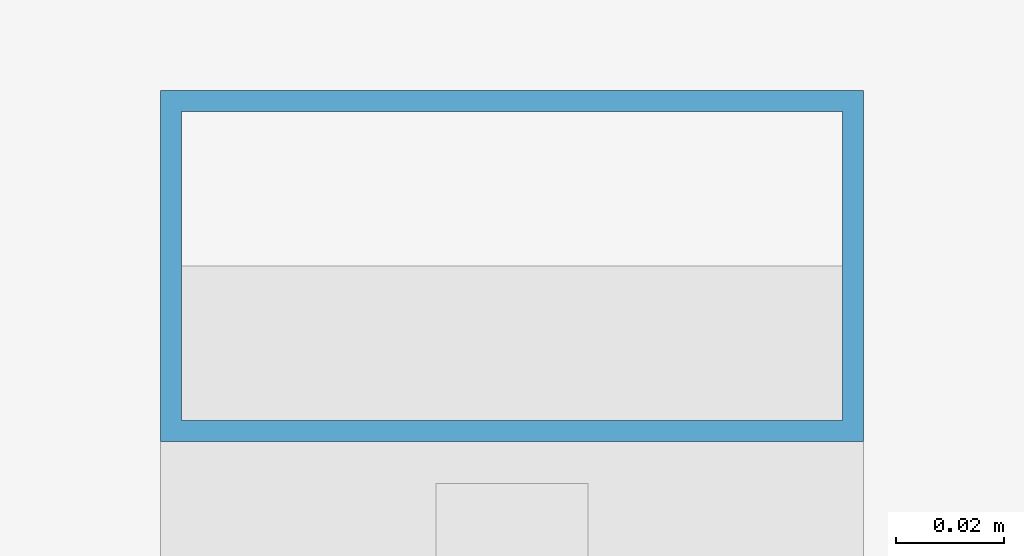
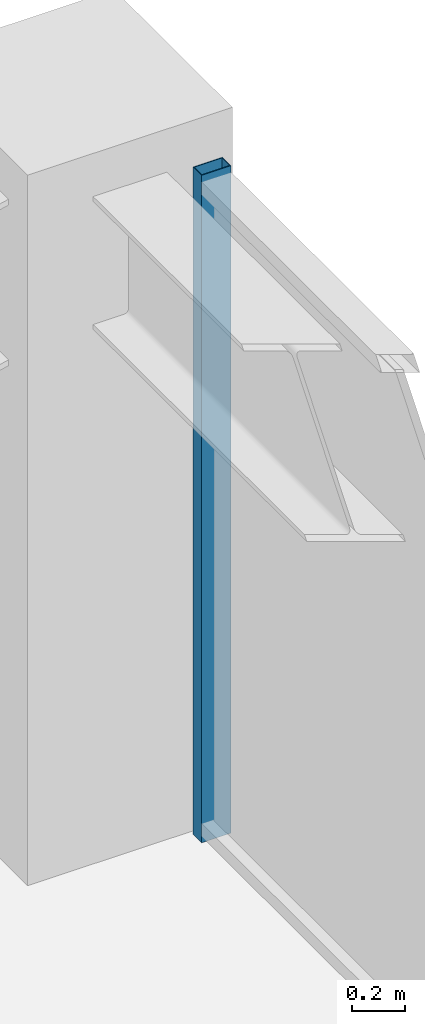
# One storey, part 21 of 31: 1 member, 1 element without a shape of its own.
"""IFC4 building model written with IfcOpenShell, lengths in metres."""

from ifc_helpers import new_model, si_unit, direction, frame, origin, origin_2d, place, context, subcontext, project, spatial, hollow_rectangle, extrude, material, material_profile, profile_set, type_object, element, aggregate, save


model = new_model("IFC4")

# Units and contexts
model_context = context("Model", 3, precision=1e-05, world=origin(), true_north=direction((0.0, 1.0)))
body_context = subcontext(model_context, "Body", "Model", "MODEL_VIEW")
ifc_project = project(units=[si_unit("LENGTHUNIT", "METRE"), si_unit("AREAUNIT", "SQUARE_METRE"), si_unit("VOLUMEUNIT", "CUBIC_METRE"), si_unit("PLANEANGLEUNIT", "RADIAN"), si_unit("MASSUNIT", "GRAM", prefix="KILO")], contexts=[model_context])

# Site, building, storey
site_placement = place(None, origin())
site = spatial("IfcSite", under=ifc_project, at=site_placement, CompositionType="ELEMENT")
building_placement = place(site_placement, origin())
building = spatial("IfcBuilding", under=site, at=building_placement, Name="Kolvaren Belvedere", CompositionType="ELEMENT")
storey_placement = place(building_placement, frame((0.0, 0.0, 134.89990234375)))
storey = spatial("IfcBuildingStorey", under=building, at=storey_placement, Name="L39", CompositionType="ELEMENT", Elevation=134.89990234375)

# Curtain wall, member
ifc_material_1 = material(Name="Anodised pale-metal aluminium AA 6063-T6", Category="aluminium")
curtain_wall_type = type_object("IfcCurtainWallType", Name="CW-Z3-WAIST", PredefinedType="NOTDEFINED", material=ifc_material_1)
curtain_wall_placement = place(storey_placement, origin())
curtain_wall = element("IfcCurtainWall", 1, at=curtain_wall_placement, inside=storey, type_object=curtain_wall_type, Name="L39 Unitised Curtain Wall FCW-L39-E-B1", PredefinedType="NOTDEFINED")
ifc_material_2 = material(Name="Anodised pale-metal aluminium AA 6063-T6", Category="aluminium")
ifc_material_profile = material_profile(ifc_material_2, hollow_rectangle(XDim=0.06494140625, YDim=0.1298828125, WallThickness=0.00390625, at=origin_2d()), Name="ALU-MUL-130X65")
ifc_profile_set = profile_set([ifc_material_profile], Name="Anodised pale-metal aluminium AA 6063-T6")
member_type = type_object("IfcMemberType", Name="CW-MUL-130", PredefinedType="MULLION", material=ifc_profile_set)
member_placement = place(storey_placement, frame((17.8798828125, 11.24755859375, 0.0), z_axis=(0.0, 0.0, 1.0), x_axis=(0.0, 1.0, 0.0)))
member = element("IfcMember", 2, at=member_placement, type_object=member_type, Name="FCW-L39-E-B1 Unitised Mullion 1", PredefinedType="MULLION", context=body_context, shape_type="SweptSolid", body=[
    extrude(hollow_rectangle(XDim=0.06494140625, YDim=0.1298828125, WallThickness=0.00390625, at=origin_2d()), origin(), (0.0, 0.0, 1.0), 3.10009765625),
])
aggregate(curtain_wall, [member])

save(model, "model.ifc")
